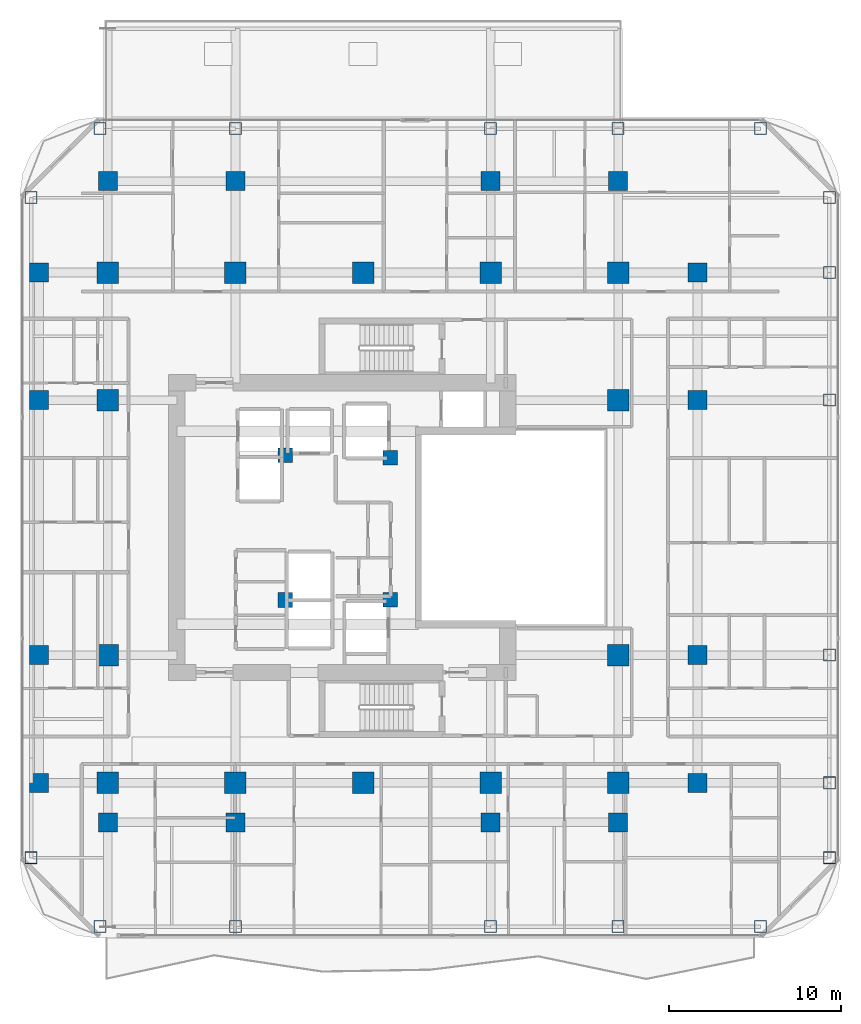
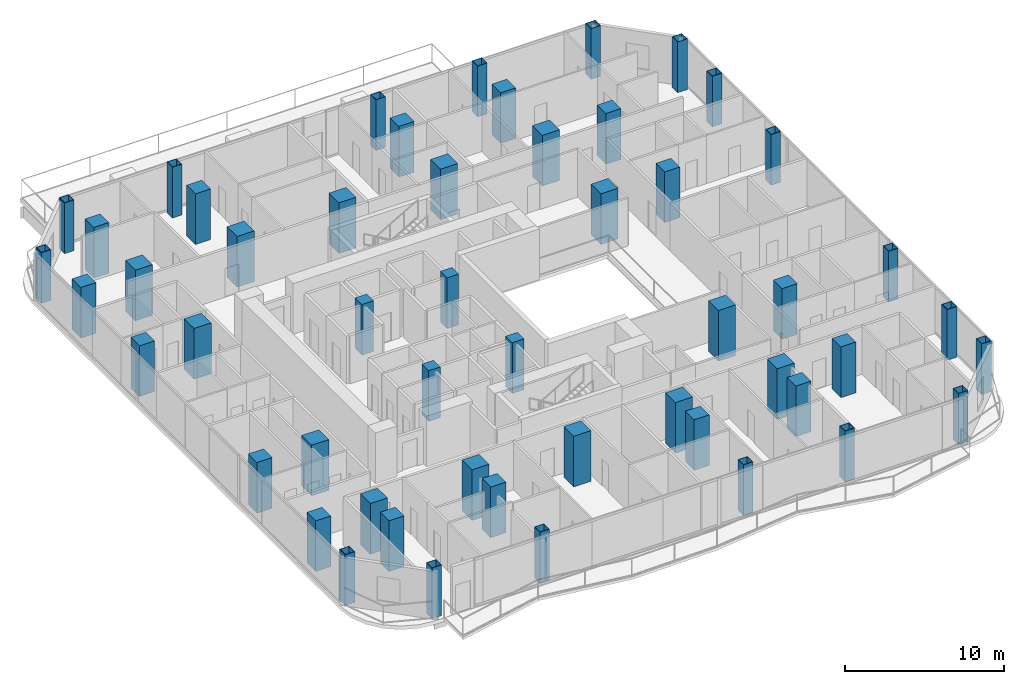
# One storey, part 1 of 29: 52 columns.
"""IFC4 building model written with IfcOpenShell, lengths in metres."""

from ifc_helpers import new_model, si_unit, direction, frame, origin, origin_2d, place, context, subcontext, project, spatial, rectangle, hollow_rectangle, extrude, material, material_profile, profile_set, type_object, element, save


model = new_model("IFC4")

# Units and contexts
model_context = context("Model", 3, precision=1e-05, world=origin(), true_north=direction((0.0, 1.0)))
body_context = subcontext(model_context, "Body", "Model", "MODEL_VIEW")
ifc_project = project(units=[si_unit("LENGTHUNIT", "METRE"), si_unit("AREAUNIT", "SQUARE_METRE"), si_unit("VOLUMEUNIT", "CUBIC_METRE"), si_unit("PLANEANGLEUNIT", "RADIAN"), si_unit("MASSUNIT", "GRAM", prefix="KILO")], contexts=[model_context])

# Site, building, storey
site_placement = place(None, origin())
site = spatial("IfcSite", under=ifc_project, at=site_placement, CompositionType="ELEMENT")
building_placement = place(site_placement, origin())
building = spatial("IfcBuilding", under=site, at=building_placement, Name="Khorvyn Point Tower", CompositionType="ELEMENT")
storey_placement = place(building_placement, frame((0.0, 0.0, 136.800048828125)))
storey = spatial("IfcBuildingStorey", under=building, at=storey_placement, Name="L34", CompositionType="ELEMENT", Elevation=136.800048828125)

# Columns
ifc_material_1 = material(Name="Concrete C40/50", Category="concrete")
ifc_material_profile_1 = material_profile(ifc_material_1, rectangle(XDim=0.85009765625, YDim=0.85009765625, at=origin_2d()))
ifc_profile_set_1 = profile_set([ifc_material_profile_1], Name="Concrete C40/50 RC850x850")
column_type_1 = type_object("IfcColumnType", Name="Concrete C40/50 Column RC850x850", PredefinedType="COLUMN", material=ifc_profile_set_1)
for number, where, z_axis, x_axis, name in (
    (1, (-4.52001953125, -4.199951171875, 0.0), (0.0, 0.0, 1.0), (1.0, 0.0, 0.0), "L34 Crown Core Spine Column 1"),
    (2, (1.580078125, -4.179931640625, 0.0), (0.0, 0.0, 1.0), (1.0, 0.0, 0.0), "L34 Crown Core Spine Column 2"),
    (3, (1.580078125, 4.050048828125, 0.0), (0.0, 0.0, 1.0), (1.0, 0.0, 0.0), "L34 Crown Core Spine Column 3"),
    (4, (-4.52001953125, 4.199951171875, 0.0), (0.0, 0.0, 1.0), (1.0, 0.0, 0.0), "L34 Crown Core Spine Column 4"),
):
    element("IfcColumn", number, at=place(storey_placement, frame(where, z_axis=z_axis, x_axis=x_axis)), inside=storey, type_object=column_type_1, Name=name, PredefinedType="COLUMN", context=body_context, shape_type="SweptSolid", body=[
        extrude(rectangle(XDim=0.85009765625, YDim=0.85009765625, at=origin_2d()), origin(), (0.0, 0.0, 1.0), 3.89990234375),
    ])
ifc_material_2 = material(Name="Concrete C45/55", Category="concrete")
ifc_material_profile_2 = material_profile(ifc_material_2, rectangle(XDim=1.10009765625, YDim=1.10009765625, at=origin_2d()))
ifc_profile_set_2 = profile_set([ifc_material_profile_2], Name="Concrete C45/55 RC1100x1100")
column_type_2 = type_object("IfcColumnType", Name="Concrete C45/55 Column RC1100x1100", PredefinedType="COLUMN", material=ifc_profile_set_2)
for number, where, z_axis, x_axis, name in (
    (5, (-18.800048828125, -14.800048828125, 0.0), (0.0, 0.0, 1.0), (1.0, 0.0, 0.0), "L34 Intermediate Column ICW--14"),
    (6, (-18.800048828125, -7.39990234375, 0.0), (0.0, 0.0, 1.0), (1.0, 0.0, 0.0), "L34 Intermediate Column ICW--7"),
    (7, (-18.800048828125, 7.39990234375, 0.0), (0.0, 0.0, 1.0), (1.0, 0.0, 0.0), "L34 Intermediate Column ICW-7"),
    (8, (-18.800048828125, 14.800048828125, 0.0), (0.0, 0.0, 1.0), (1.0, 0.0, 0.0), "L34 Intermediate Column ICW-14"),
    (9, (19.39990234375, -14.800048828125, 0.0), (0.0, 0.0, 1.0), (1.0, 0.0, 0.0), "L34 Intermediate Column ICE--14"),
    (10, (19.39990234375, -7.39990234375, 0.0), (0.0, 0.0, 1.0), (1.0, 0.0, 0.0), "L34 Intermediate Column ICE--7"),
    (11, (19.39990234375, 7.39990234375, 0.0), (0.0, 0.0, 1.0), (1.0, 0.0, 0.0), "L34 Intermediate Column ICE-7"),
    (12, (19.39990234375, 14.800048828125, 0.0), (0.0, 0.0, 1.0), (1.0, 0.0, 0.0), "L34 Intermediate Column ICE-14"),
    (13, (-14.800048828125, -17.10009765625, 0.0), (0.0, 0.0, 1.0), (1.0, 0.0, 0.0), "L34 Intermediate Column ICS--14"),
    (14, (-7.39990234375, -17.10009765625, 0.0), (0.0, 0.0, 1.0), (1.0, 0.0, 0.0), "L34 Intermediate Column ICS--7"),
    (15, (7.39990234375, -17.10009765625, 0.0), (0.0, 0.0, 1.0), (1.0, 0.0, 0.0), "L34 Intermediate Column ICS-7"),
    (16, (14.800048828125, -17.10009765625, 0.0), (0.0, 0.0, 1.0), (1.0, 0.0, 0.0), "L34 Intermediate Column ICS-14"),
    (17, (-14.800048828125, 20.10009765625, 0.0), (0.0, 0.0, 1.0), (1.0, 0.0, 0.0), "L34 Intermediate Column ICN--14"),
    (18, (-7.39990234375, 20.10009765625, 0.0), (0.0, 0.0, 1.0), (1.0, 0.0, 0.0), "L34 Intermediate Column ICN--7"),
    (19, (7.39990234375, 20.10009765625, 0.0), (0.0, 0.0, 1.0), (1.0, 0.0, 0.0), "L34 Intermediate Column ICN-7"),
    (20, (14.800048828125, 20.10009765625, 0.0), (0.0, 0.0, 1.0), (1.0, 0.0, 0.0), "L34 Intermediate Column ICN-14"),
):
    element("IfcColumn", number, at=place(storey_placement, frame(where, z_axis=z_axis, x_axis=x_axis)), inside=storey, type_object=column_type_2, Name=name, PredefinedType="COLUMN", context=body_context, shape_type="SweptSolid", body=[
        extrude(rectangle(XDim=1.10009765625, YDim=1.10009765625, at=origin_2d()), origin(), (0.0, 0.0, 1.0), 3.89990234375),
    ])
ifc_material_3 = material(Name="Concrete C50/60", Category="concrete")
ifc_material_profile_3 = material_profile(ifc_material_3, rectangle(XDim=1.25, YDim=1.25, at=origin_2d()))
ifc_profile_set_3 = profile_set([ifc_material_profile_3], Name="Concrete C50/60 RC1250x1250")
column_type_3 = type_object("IfcColumnType", Name="Concrete C50/60 Column RC1250x1250", PredefinedType="COLUMN", material=ifc_profile_set_3)
for number, where, z_axis, x_axis, name in (
    (21, (-14.800048828125, -14.800048828125, 0.0), (0.0, 0.0, 1.0), (1.0, 0.0, 0.0), "L34 Mega-Column MC-01"),
    (22, (-7.39990234375, -14.800048828125, 0.0), (0.0, 0.0, 1.0), (1.0, 0.0, 0.0), "L34 Mega-Column MC-02"),
    (23, (0.0, -14.800048828125, 0.0), (0.0, 0.0, 1.0), (1.0, 0.0, 0.0), "L34 Mega-Column MC-03"),
    (24, (7.39990234375, -14.800048828125, 0.0), (0.0, 0.0, 1.0), (1.0, 0.0, 0.0), "L34 Mega-Column MC-04"),
    (25, (14.800048828125, -14.800048828125, 0.0), (0.0, 0.0, 1.0), (1.0, 0.0, 0.0), "L34 Mega-Column MC-05"),
    (26, (-14.800048828125, 14.800048828125, 0.0), (0.0, 0.0, 1.0), (1.0, 0.0, 0.0), "L34 Mega-Column MC-06"),
    (27, (-7.39990234375, 14.800048828125, 0.0), (0.0, 0.0, 1.0), (1.0, 0.0, 0.0), "L34 Mega-Column MC-07"),
    (28, (0.0, 14.800048828125, 0.0), (0.0, 0.0, 1.0), (1.0, 0.0, 0.0), "L34 Mega-Column MC-08"),
    (29, (7.39990234375, 14.800048828125, 0.0), (0.0, 0.0, 1.0), (1.0, 0.0, 0.0), "L34 Mega-Column MC-09"),
    (30, (14.800048828125, 14.800048828125, 0.0), (0.0, 0.0, 1.0), (1.0, 0.0, 0.0), "L34 Mega-Column MC-10"),
    (31, (-14.800048828125, -7.39990234375, 0.0), (0.0, 0.0, 1.0), (1.0, 0.0, 0.0), "L34 Mega-Column MC-11"),
    (32, (-14.800048828125, 7.39990234375, 0.0), (0.0, 0.0, 1.0), (1.0, 0.0, 0.0), "L34 Mega-Column MC-12"),
    (33, (14.800048828125, -7.39990234375, 0.0), (0.0, 0.0, 1.0), (1.0, 0.0, 0.0), "L34 Mega-Column MC-13"),
    (34, (14.800048828125, 7.39990234375, 0.0), (0.0, 0.0, 1.0), (1.0, 0.0, 0.0), "L34 Mega-Column MC-14"),
):
    element("IfcColumn", number, at=place(storey_placement, frame(where, z_axis=z_axis, x_axis=x_axis)), inside=storey, type_object=column_type_3, Name=name, PredefinedType="COLUMN", context=body_context, shape_type="SweptSolid", body=[
        extrude(rectangle(XDim=1.25, YDim=1.25, at=origin_2d()), origin(), (0.0, 0.0, 1.0), 3.89990234375),
    ])
ifc_material_4 = material(Name="Steel S450", Category="steel")
ifc_material_profile_4 = material_profile(ifc_material_4, hollow_rectangle(XDim=0.699951171875, YDim=0.699951171875, WallThickness=0.031982421875, at=origin_2d()))
ifc_profile_set_4 = profile_set([ifc_material_profile_4], Name="Steel S450 BOX700x700x32")
column_type_4 = type_object("IfcColumnType", Name="Steel S450 Structural Column BOX700x700x32", PredefinedType="COLUMN", material=ifc_profile_set_4)
for number, where, z_axis, x_axis, name in (
    (35, (-15.25, -23.14990234375, 0.0), (0.0, 0.0, 1.0), (1.0, 0.0, 0.0), "L34 Perimeter Tube Column TC-01"),
    (36, (23.050048828125, -23.14990234375, 0.0), (0.0, 0.0, 1.0), (1.0, 0.0, 0.0), "L34 Perimeter Tube Column TC-02"),
    (37, (-15.25, 23.14990234375, 0.0), (0.0, 0.0, 1.0), (1.0, 0.0, 0.0), "L34 Perimeter Tube Column TC-03"),
    (38, (23.050048828125, 23.14990234375, 0.0), (0.0, 0.0, 1.0), (1.0, 0.0, 0.0), "L34 Perimeter Tube Column TC-04"),
    (39, (-19.25, -19.14990234375, 0.0), (0.0, 0.0, 1.0), (1.0, 0.0, 0.0), "L34 Perimeter Tube Column TC-05"),
    (40, (-19.25, 19.14990234375, 0.0), (0.0, 0.0, 1.0), (1.0, 0.0, 0.0), "L34 Perimeter Tube Column TC-06"),
    (41, (27.050048828125, -19.14990234375, 0.0), (0.0, 0.0, 1.0), (1.0, 0.0, 0.0), "L34 Perimeter Tube Column TC-07"),
    (42, (27.050048828125, 19.14990234375, 0.0), (0.0, 0.0, 1.0), (1.0, 0.0, 0.0), "L34 Perimeter Tube Column TC-08"),
    (43, (-7.39990234375, -23.14990234375, 0.0), (0.0, 0.0, 1.0), (1.0, 0.0, 0.0), "L34 Perimeter Tube Column TC-09"),
    (44, (-7.39990234375, 23.14990234375, 0.0), (0.0, 0.0, 1.0), (1.0, 0.0, 0.0), "L34 Perimeter Tube Column TC-10"),
    (45, (7.39990234375, -23.14990234375, 0.0), (0.0, 0.0, 1.0), (1.0, 0.0, 0.0), "L34 Perimeter Tube Column TC-11"),
    (46, (7.39990234375, 23.14990234375, 0.0), (0.0, 0.0, 1.0), (1.0, 0.0, 0.0), "L34 Perimeter Tube Column TC-12"),
    (47, (14.800048828125, -23.14990234375, 0.0), (0.0, 0.0, 1.0), (1.0, 0.0, 0.0), "L34 Perimeter Tube Column TC-13"),
    (48, (14.800048828125, 23.14990234375, 0.0), (0.0, 0.0, 1.0), (1.0, 0.0, 0.0), "L34 Perimeter Tube Column TC-14"),
    (49, (27.050048828125, -14.800048828125, 0.0), (0.0, 0.0, 1.0), (1.0, 0.0, 0.0), "L34 Perimeter Tube Column TC-15"),
    (50, (27.050048828125, -7.39990234375, 0.0), (0.0, 0.0, 1.0), (1.0, 0.0, 0.0), "L34 Perimeter Tube Column TC-16"),
    (51, (27.050048828125, 7.39990234375, 0.0), (0.0, 0.0, 1.0), (1.0, 0.0, 0.0), "L34 Perimeter Tube Column TC-17"),
    (52, (27.050048828125, 14.800048828125, 0.0), (0.0, 0.0, 1.0), (1.0, 0.0, 0.0), "L34 Perimeter Tube Column TC-18"),
):
    element("IfcColumn", number, at=place(storey_placement, frame(where, z_axis=z_axis, x_axis=x_axis)), inside=storey, type_object=column_type_4, Name=name, PredefinedType="COLUMN", context=body_context, shape_type="SweptSolid", body=[
        extrude(hollow_rectangle(XDim=0.699951171875, YDim=0.699951171875, WallThickness=0.031982421875, at=origin_2d()), origin(), (0.0, 0.0, 1.0), 3.89990234375),
    ])

save(model, "model.ifc")
